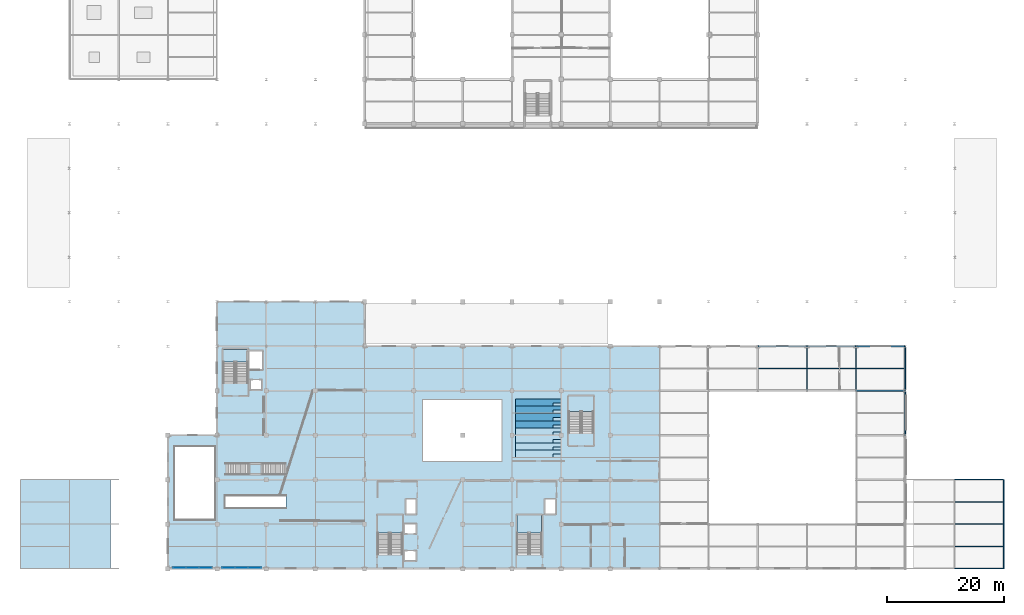
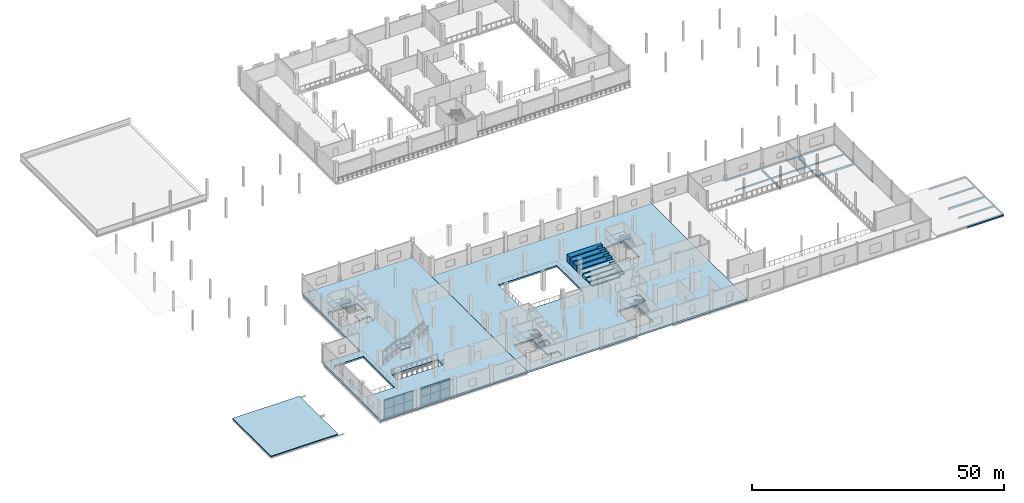
# One storey, part 20 of 51: 18 beams, 16 slabs, 12 plates, 7 elements without a shape of their own.
"""IFC4 building model written with IfcOpenShell, lengths in metres."""

from ifc_helpers import new_model, si_unit, direction, frame, origin, origin_2d, place, context, subcontext, project, spatial, polyline, rectangle, hollow_rectangle, i_section, outline, extrude, material, layer, layer_set, material_profile, profile_set, type_object, element, aggregate, save


model = new_model("IFC4")

# Units and contexts
model_context = context("Model", 3, precision=1e-05, world=origin(), true_north=direction((0.0, 1.0)))
body_context = subcontext(model_context, "Body", "Model", "MODEL_VIEW")
ifc_project = project(units=[si_unit("LENGTHUNIT", "METRE"), si_unit("AREAUNIT", "SQUARE_METRE"), si_unit("VOLUMEUNIT", "CUBIC_METRE"), si_unit("PLANEANGLEUNIT", "RADIAN"), si_unit("MASSUNIT", "GRAM", prefix="KILO")], contexts=[model_context])

# Site, building, storey
site_placement = place(None, origin())
site = spatial("IfcSite", under=ifc_project, at=site_placement, CompositionType="ELEMENT")
building_placement = place(site_placement, origin())
building = spatial("IfcBuilding", under=site, at=building_placement, Name="Zuvorla Pavilion Media Centre", CompositionType="ELEMENT")
storey_placement = place(building_placement, frame((0.0, 0.0, 4.800048828125)))
storey = spatial("IfcBuildingStorey", under=building, at=storey_placement, Name="L01", CompositionType="ELEMENT", Elevation=4.800048828125)

# Beams
ifc_material_1 = material(Name="Steel S355", Category="steel")
ifc_material_profile_1 = material_profile(ifc_material_1, hollow_rectangle(XDim=0.14990234375, YDim=0.25, WallThickness=0.010009765625, at=origin_2d()), Name="RHS 250x150x10")
ifc_profile_set_1 = profile_set([ifc_material_profile_1], Name="Steel S355")
beam_type_1 = type_object("IfcBeamType", Name="BM-SP-RHS250", PredefinedType="SPANDREL", material=ifc_profile_set_1)
beam_1_placement = place(storey_placement, frame((159.199951171875, 28.800048828125, -0.4130859375), z_axis=(0.0, 1.0, 0.0), x_axis=(-1.0, 0.0, 0.0)))
element("IfcBeam", 1, at=beam_1_placement, inside=storey, type_object=beam_type_1, Name="L01 spandrel SP02 695", PredefinedType="SPANDREL", context=body_context, shape_type="SweptSolid", body=[
    extrude(hollow_rectangle(XDim=0.14990234375, YDim=0.25, WallThickness=0.010009765625, at=origin_2d()), origin(), (0.0, 0.0, 1.0), 7.599853515625),
])
for number, where, z_axis, x_axis, name in (
    (2, (159.199951171875, 36.39990234375, -0.4130859375), (0.0, 1.0, 0.0), (-1.0, 0.0, 0.0), "L01 spandrel SP02 696"),
    (3, (176.0, 6.0, -0.4130859375), (0.0, 1.0, 0.0), (-1.0, 0.0, 0.0), "L01 spandrel SP02 699"),
):
    element("IfcBeam", number, at=place(storey_placement, frame(where, z_axis=z_axis, x_axis=x_axis)), inside=storey, type_object=beam_type_1, Name=name, PredefinedType="SPANDREL", context=body_context, shape_type="SweptSolid", body=[
        extrude(hollow_rectangle(XDim=0.14990234375, YDim=0.25, WallThickness=0.010009765625, at=origin_2d()), origin(), (0.0, 0.0, 1.0), 7.60009765625),
    ])
beam_2_placement = place(storey_placement, frame((176.0, 13.60009765625, -0.4130859375), z_axis=(0.0, 1.0, 0.0), x_axis=(-1.0, 0.0, 0.0)))
element("IfcBeam", 4, at=beam_2_placement, inside=storey, type_object=beam_type_1, Name="L01 spandrel SP02 700", PredefinedType="SPANDREL", context=body_context, shape_type="SweptSolid", body=[
    extrude(hollow_rectangle(XDim=0.14990234375, YDim=0.25, WallThickness=0.010009765625, at=origin_2d()), origin(), (0.0, 0.0, 1.0), 7.599853515625),
])
ifc_material_profile_2 = material_profile(ifc_material_1, hollow_rectangle(XDim=0.199951171875, YDim=0.300048828125, WallThickness=0.012451171875, at=origin_2d()), Name="RHS 300x200x12.5")
ifc_profile_set_2 = profile_set([ifc_material_profile_2], Name="Steel S355")
beam_type_2 = type_object("IfcBeamType", Name="BM-SP-RHS300", PredefinedType="SPANDREL", material=ifc_profile_set_2)
for number, where, z_axis, x_axis, name in (
    (5, (167.60009765625, 6.0, -0.43798828125), (1.0, 0.0, 0.0), (0.0, 1.0, 0.0), "L01 spandrel SP01 446"),
    (6, (167.60009765625, 21.199951171875, -0.43798828125), (1.0, 0.0, 0.0), (0.0, 1.0, 0.0), "L01 spandrel SP01 476"),
    (7, (134.0, 44.0, -0.43798828125), (1.0, 0.0, 0.0), (0.0, 1.0, 0.0), "L01 spandrel SP01 510"),
):
    element("IfcBeam", number, at=place(storey_placement, frame(where, z_axis=z_axis, x_axis=x_axis)), inside=storey, type_object=beam_type_2, Name=name, PredefinedType="SPANDREL", context=body_context, shape_type="SweptSolid", body=[
        extrude(hollow_rectangle(XDim=0.199951171875, YDim=0.300048828125, WallThickness=0.012451171875, at=origin_2d()), origin(), (0.0, 0.0, 1.0), 8.39990234375),
    ])
beam_3_placement = place(storey_placement, frame((142.39990234375, 44.0, -0.43798828125), z_axis=(1.0, 0.0, 0.0), x_axis=(0.0, 1.0, 0.0)))
element("IfcBeam", 8, at=beam_3_placement, inside=storey, type_object=beam_type_2, Name="L01 spandrel SP01 511", PredefinedType="SPANDREL", context=body_context, shape_type="SweptSolid", body=[
    extrude(hollow_rectangle(XDim=0.199951171875, YDim=0.300048828125, WallThickness=0.012451171875, at=origin_2d()), origin(), (0.0, 0.0, 1.0), 8.400146484375),
])
beam_4_placement = place(storey_placement, frame((150.800048828125, 44.0, -0.43798828125), z_axis=(1.0, 0.0, 0.0), x_axis=(0.0, 1.0, 0.0)))
element("IfcBeam", 9, at=beam_4_placement, inside=storey, type_object=beam_type_2, Name="L01 spandrel SP01 512", PredefinedType="SPANDREL", context=body_context, shape_type="SweptSolid", body=[
    extrude(hollow_rectangle(XDim=0.199951171875, YDim=0.300048828125, WallThickness=0.012451171875, at=origin_2d()), origin(), (0.0, 0.0, 1.0), 8.39990234375),
])
ifc_material_profile_3 = material_profile(ifc_material_1, i_section(OverallWidth=0.1787109375, OverallDepth=0.409423828125, WebThickness=0.0087890625, FlangeThickness=0.014404296875, FilletRadius=0.01025390625, at=origin_2d()), Name="UB 406x178x67")
ifc_profile_set_3 = profile_set([ifc_material_profile_3], Name="Steel S355")
beam_type_3 = type_object("IfcBeamType", Name="BM-UB406", PredefinedType="JOIST", material=ifc_profile_set_3)
for number, where, z_axis, x_axis, name in (
    (10, (134.10009765625, 40.199951171875, -0.49267578125), (1.0, 0.0, 0.0), (0.0, 1.0, 0.0), "L01 joist J02 778"),
    (11, (142.5, 40.199951171875, -0.49267578125), (1.0, 0.0, 0.0), (0.0, 1.0, 0.0), "L01 joist J02 780"),
):
    element("IfcBeam", number, at=place(storey_placement, frame(where, z_axis=z_axis, x_axis=x_axis)), inside=storey, type_object=beam_type_3, Name=name, PredefinedType="JOIST", context=body_context, shape_type="SweptSolid", body=[
        extrude(i_section(OverallWidth=0.1787109375, OverallDepth=0.409423828125, WebThickness=0.0087890625, FlangeThickness=0.014404296875, FilletRadius=0.01025390625, at=origin_2d()), origin(), (0.0, 0.0, 1.0), 8.199951171875),
    ])
beam_5_placement = place(storey_placement, frame((150.89990234375, 40.199951171875, -0.49267578125), z_axis=(1.0, 0.0, 0.0), x_axis=(0.0, 1.0, 0.0)))
element("IfcBeam", 12, at=beam_5_placement, inside=storey, type_object=beam_type_3, Name="L01 joist J02 785", PredefinedType="JOIST", context=body_context, shape_type="SweptSolid", body=[
    extrude(i_section(OverallWidth=0.1787109375, OverallDepth=0.409423828125, WebThickness=0.0087890625, FlangeThickness=0.014404296875, FilletRadius=0.01025390625, at=origin_2d()), origin(), (0.0, 0.0, 1.0), 8.22021484375),
])
for number, where, z_axis, x_axis, name in (
    (13, (167.699951171875, 9.800048828125, -0.49267578125), (1.0, 0.0, 0.0), (0.0, 1.0, 0.0), "L01 joist J02 788"),
    (14, (167.699951171875, 17.39990234375, -0.49267578125), (1.0, 0.0, 0.0), (0.0, 1.0, 0.0), "L01 joist J02 789"),
):
    element("IfcBeam", number, at=place(storey_placement, frame(where, z_axis=z_axis, x_axis=x_axis)), inside=storey, type_object=beam_type_3, Name=name, PredefinedType="JOIST", context=body_context, shape_type="SweptSolid", body=[
        extrude(i_section(OverallWidth=0.1787109375, OverallDepth=0.409423828125, WebThickness=0.0087890625, FlangeThickness=0.014404296875, FilletRadius=0.01025390625, at=origin_2d()), origin(), (0.0, 0.0, 1.0), 8.219970703125),
    ])
ifc_material_profile_4 = material_profile(ifc_material_1, i_section(OverallWidth=0.2099609375, OverallDepth=0.53662109375, WebThickness=0.0107421875, FlangeThickness=0.017333984375, FilletRadius=0.0126953125, at=origin_2d()), Name="UB 533x210x101")
ifc_profile_set_4 = profile_set([ifc_material_profile_4], Name="Steel S355")
beam_type_4 = type_object("IfcBeamType", Name="BM-UB533", PredefinedType="BEAM", material=ifc_profile_set_4)
for number, where, z_axis, x_axis, name in (
    (15, (167.60009765625, 13.60009765625, -0.556396484375), (1.0, 0.0, 0.0), (0.0, 1.0, 0.0), "L01 beam B08 462"),
    (16, (150.800048828125, 36.39990234375, -0.556396484375), (1.0, 0.0, 0.0), (0.0, 1.0, 0.0), "L01 beam B08 498"),
):
    element("IfcBeam", number, at=place(storey_placement, frame(where, z_axis=z_axis, x_axis=x_axis)), inside=storey, type_object=beam_type_4, Name=name, PredefinedType="BEAM", context=body_context, shape_type="SweptSolid", body=[
        extrude(i_section(OverallWidth=0.2099609375, OverallDepth=0.53662109375, WebThickness=0.0107421875, FlangeThickness=0.017333984375, FilletRadius=0.0126953125, at=origin_2d()), origin(), (0.0, 0.0, 1.0), 8.39990234375),
    ])
for number, where, z_axis, x_axis, name in (
    (17, (142.39990234375, 36.39990234375, -0.556396484375), (0.0, 1.0, 0.0), (-1.0, 0.0, 0.0), "L01 beam B08 686"),
    (18, (150.800048828125, 36.39990234375, -0.556396484375), (0.0, 1.0, 0.0), (-1.0, 0.0, 0.0), "L01 beam B08 691"),
):
    element("IfcBeam", number, at=place(storey_placement, frame(where, z_axis=z_axis, x_axis=x_axis)), inside=storey, type_object=beam_type_4, Name=name, PredefinedType="BEAM", context=body_context, shape_type="SweptSolid", body=[
        extrude(i_section(OverallWidth=0.2099609375, OverallDepth=0.53662109375, WebThickness=0.0107421875, FlangeThickness=0.017333984375, FilletRadius=0.0126953125, at=origin_2d()), origin(), (0.0, 0.0, 1.0), 7.60009765625),
    ])

# Curtain wall, plates
ifc_material_2 = material(Name="Unitised anodised aluminium and solar glass curtain wall", Category="aluminium")
curtain_wall_type = type_object("IfcCurtainWallType", Name="CW-SYS-86", PredefinedType="USERDEFINED", material=ifc_material_2)
curtain_wall_1_placement = place(storey_placement, origin())
curtain_wall_1 = element("IfcCurtainWall", 19, at=curtain_wall_1_placement, inside=storey, type_object=curtain_wall_type, Name="L01 curtain wall CW86 196", ObjectType="CURTAIN WALL", PredefinedType="USERDEFINED")
ifc_material_3 = material(Name="Acoustic laminated solar glazing", Category="glass")
ifc_layer_1 = layer(ifc_material_3, 0.033935546875)
ifc_layer_set_1 = layer_set([ifc_layer_1], Name="Acoustic laminated solar glazing")
plate_type = type_object("IfcPlateType", Name="CW-PNL-34", PredefinedType="CURTAIN_PANEL", material=ifc_layer_set_1)
plate_1_placement = place(storey_placement, frame((35.173828125, 6.159912109375, 0.030029296875), z_axis=(0.0, 0.0, 1.0), x_axis=(1.0, 0.0, 0.0)))
plate_1 = element("IfcPlate", 20, at=plate_1_placement, type_object=plate_type, Name="CW86 panel 1.1", PredefinedType="CURTAIN_PANEL", context=body_context, shape_type="SweptSolid", body=[
    extrude(rectangle(XDim=2.166015625, YDim=0.033935546875, at=origin_2d()), origin(), (0.0, 0.0, 1.0), 2.1650390625),
])
plate_2_placement = place(storey_placement, frame((35.173828125, 6.159912109375, 2.2548828125), z_axis=(0.0, 0.0, 1.0), x_axis=(1.0, 0.0, 0.0)))
plate_2 = element("IfcPlate", 21, at=plate_2_placement, type_object=plate_type, Name="CW86 panel 1.2", PredefinedType="CURTAIN_PANEL", context=body_context, shape_type="SweptSolid", body=[
    extrude(rectangle(XDim=2.166015625, YDim=0.033935546875, at=origin_2d()), origin(), (0.0, 0.0, 1.0), 2.1650390625),
])
plate_3_placement = place(storey_placement, frame((37.39990234375, 6.159912109375, 0.030029296875), z_axis=(0.0, 0.0, 1.0), x_axis=(1.0, 0.0, 0.0)))
plate_3 = element("IfcPlate", 22, at=plate_3_placement, type_object=plate_type, Name="CW86 panel 2.1", PredefinedType="CURTAIN_PANEL", context=body_context, shape_type="SweptSolid", body=[
    extrude(rectangle(XDim=2.166015625, YDim=0.033935546875, at=origin_2d()), origin(), (0.0, 0.0, 1.0), 2.1650390625),
])
plate_4_placement = place(storey_placement, frame((37.39990234375, 6.159912109375, 2.2548828125), z_axis=(0.0, 0.0, 1.0), x_axis=(1.0, 0.0, 0.0)))
plate_4 = element("IfcPlate", 23, at=plate_4_placement, type_object=plate_type, Name="CW86 panel 2.2", PredefinedType="CURTAIN_PANEL", context=body_context, shape_type="SweptSolid", body=[
    extrude(rectangle(XDim=2.166015625, YDim=0.033935546875, at=origin_2d()), origin(), (0.0, 0.0, 1.0), 2.1650390625),
])
plate_5_placement = place(storey_placement, frame((39.626220703125, 6.159912109375, 0.030029296875), z_axis=(0.0, 0.0, 1.0), x_axis=(1.0, 0.0, 0.0)))
plate_5 = element("IfcPlate", 24, at=plate_5_placement, type_object=plate_type, Name="CW86 panel 3.1", PredefinedType="CURTAIN_PANEL", context=body_context, shape_type="SweptSolid", body=[
    extrude(rectangle(XDim=2.166015625, YDim=0.033935546875, at=origin_2d()), origin(), (0.0, 0.0, 1.0), 2.1650390625),
])
plate_6_placement = place(storey_placement, frame((39.626220703125, 6.159912109375, 2.2548828125), z_axis=(0.0, 0.0, 1.0), x_axis=(1.0, 0.0, 0.0)))
plate_6 = element("IfcPlate", 25, at=plate_6_placement, type_object=plate_type, Name="CW86 panel 3.2", PredefinedType="CURTAIN_PANEL", context=body_context, shape_type="SweptSolid", body=[
    extrude(rectangle(XDim=2.166015625, YDim=0.033935546875, at=origin_2d()), origin(), (0.0, 0.0, 1.0), 2.1650390625),
])
aggregate(curtain_wall_1, [plate_1, plate_2, plate_3, plate_4, plate_5, plate_6])

curtain_wall_2_placement = place(storey_placement, origin())
curtain_wall_2 = element("IfcCurtainWall", 26, at=curtain_wall_2_placement, inside=storey, type_object=curtain_wall_type, Name="L01 curtain wall CW86 197", ObjectType="CURTAIN WALL", PredefinedType="USERDEFINED")
plate_7_placement = place(storey_placement, frame((43.573974609375, 6.159912109375, 0.030029296875), z_axis=(0.0, 0.0, 1.0), x_axis=(1.0, 0.0, 0.0)))
plate_7 = element("IfcPlate", 27, at=plate_7_placement, type_object=plate_type, Name="CW86 panel 1.1", PredefinedType="CURTAIN_PANEL", context=body_context, shape_type="SweptSolid", body=[
    extrude(rectangle(XDim=2.166015625, YDim=0.033935546875, at=origin_2d()), origin(), (0.0, 0.0, 1.0), 2.1650390625),
])
plate_8_placement = place(storey_placement, frame((43.573974609375, 6.159912109375, 2.2548828125), z_axis=(0.0, 0.0, 1.0), x_axis=(1.0, 0.0, 0.0)))
plate_8 = element("IfcPlate", 28, at=plate_8_placement, type_object=plate_type, Name="CW86 panel 1.2", PredefinedType="CURTAIN_PANEL", context=body_context, shape_type="SweptSolid", body=[
    extrude(rectangle(XDim=2.166015625, YDim=0.033935546875, at=origin_2d()), origin(), (0.0, 0.0, 1.0), 2.1650390625),
])
plate_9_placement = place(storey_placement, frame((45.800048828125, 6.159912109375, 0.030029296875), z_axis=(0.0, 0.0, 1.0), x_axis=(1.0, 0.0, 0.0)))
plate_9 = element("IfcPlate", 29, at=plate_9_placement, type_object=plate_type, Name="CW86 panel 2.1", PredefinedType="CURTAIN_PANEL", context=body_context, shape_type="SweptSolid", body=[
    extrude(rectangle(XDim=2.166015625, YDim=0.033935546875, at=origin_2d()), origin(), (0.0, 0.0, 1.0), 2.1650390625),
])
plate_10_placement = place(storey_placement, frame((45.800048828125, 6.159912109375, 2.2548828125), z_axis=(0.0, 0.0, 1.0), x_axis=(1.0, 0.0, 0.0)))
plate_10 = element("IfcPlate", 30, at=plate_10_placement, type_object=plate_type, Name="CW86 panel 2.2", PredefinedType="CURTAIN_PANEL", context=body_context, shape_type="SweptSolid", body=[
    extrude(rectangle(XDim=2.166015625, YDim=0.033935546875, at=origin_2d()), origin(), (0.0, 0.0, 1.0), 2.1650390625),
])
plate_11_placement = place(storey_placement, frame((48.026123046875, 6.159912109375, 0.030029296875), z_axis=(0.0, 0.0, 1.0), x_axis=(1.0, 0.0, 0.0)))
plate_11 = element("IfcPlate", 31, at=plate_11_placement, type_object=plate_type, Name="CW86 panel 3.1", PredefinedType="CURTAIN_PANEL", context=body_context, shape_type="SweptSolid", body=[
    extrude(rectangle(XDim=2.166015625, YDim=0.033935546875, at=origin_2d()), origin(), (0.0, 0.0, 1.0), 2.1650390625),
])
plate_12_placement = place(storey_placement, frame((48.026123046875, 6.159912109375, 2.2548828125), z_axis=(0.0, 0.0, 1.0), x_axis=(1.0, 0.0, 0.0)))
plate_12 = element("IfcPlate", 32, at=plate_12_placement, type_object=plate_type, Name="CW86 panel 3.2", PredefinedType="CURTAIN_PANEL", context=body_context, shape_type="SweptSolid", body=[
    extrude(rectangle(XDim=2.166015625, YDim=0.033935546875, at=origin_2d()), origin(), (0.0, 0.0, 1.0), 2.1650390625),
])
aggregate(curtain_wall_2, [plate_7, plate_8, plate_9, plate_10, plate_11, plate_12])

# Slabs
ifc_material_4 = material(Name="Concrete C40/50", Category="concrete")
ifc_layer_2 = layer(ifc_material_4, 0.419921875)
ifc_layer_set_2 = layer_set([ifc_layer_2], Name="Concrete C40/50")
slab_type_1 = type_object("IfcSlabType", Name="SLB-FLR-400", PredefinedType="FLOOR", material=ifc_layer_set_2)
slab_1_placement = place(storey_placement, frame((0.0, 0.0, -0.420166015625)))
element("IfcSlab", 33, at=slab_1_placement, inside=storey, type_object=slab_type_1, Name="L01 floor slab CB", PredefinedType="FLOOR", context=body_context, shape_type="SweptSolid", body=[
    extrude(outline(polyline([(66.800048828125, 6.0), (66.800048828125, 44.0), (117.199951171875, 44.0), (117.199951171875, 6.0), (66.800048828125, 6.0)]), holes=[polyline([(73.669921875, 9.030029296875), (73.669921875, 7.3701171875), (75.6298828125, 7.3701171875), (75.6298828125, 9.030029296875), (73.669921875, 9.030029296875)]), polyline([(69.050048828125, 15.14990234375), (69.050048828125, 8.449951171875), (73.25, 8.449951171875), (73.25, 15.14990234375), (69.050048828125, 15.14990234375)]), polyline([(92.85009765625, 15.14990234375), (92.85009765625, 8.449951171875), (97.050048828125, 8.449951171875), (97.050048828125, 15.14990234375), (92.85009765625, 15.14990234375)]), polyline([(73.669921875, 13.6298828125), (73.669921875, 11.969970703125), (75.6298828125, 11.969970703125), (75.6298828125, 13.6298828125), (73.669921875, 13.6298828125)]), polyline([(73.8701171875, 17.8798828125), (73.8701171875, 15.320068359375), (75.6298828125, 15.320068359375), (75.6298828125, 17.8798828125), (73.8701171875, 17.8798828125)]), polyline([(97.669921875, 17.8798828125), (97.669921875, 15.320068359375), (99.429931640625, 15.320068359375), (99.429931640625, 17.8798828125), (97.669921875, 17.8798828125)]), polyline([(76.800048828125, 34.800048828125), (76.800048828125, 24.39990234375), (90.199951171875, 24.39990234375), (90.199951171875, 34.800048828125), (76.800048828125, 34.800048828125)]), polyline([(101.699951171875, 35.449951171875), (101.699951171875, 29.199951171875), (105.89990234375, 29.199951171875), (105.89990234375, 35.449951171875), (101.699951171875, 35.449951171875)])]), origin(), (0.0, 0.0, 1.0), 0.420166015625),
])
slab_2_placement = place(storey_placement, frame((0.0, 0.0, -0.420166015625)))
element("IfcSlab", 34, at=slab_2_placement, inside=storey, type_object=slab_type_1, Name="L01 floor slab SW", PredefinedType="FLOOR", context=body_context, shape_type="SweptSolid", body=[
    extrude(outline(polyline([(33.199951171875, 6.0), (33.199951171875, 28.800048828125), (41.60009765625, 28.800048828125), (41.60009765625, 51.60009765625), (66.800048828125, 51.60009765625), (66.800048828125, 28.800048828125), (66.800048828125, 6.0), (33.199951171875, 6.0)]), holes=[polyline([(42.949951171875, 16.35009765625), (53.419921875, 16.35009765625), (53.419921875, 18.449951171875), (42.949951171875, 18.449951171875), (42.949951171875, 16.35009765625)]), polyline([(34.39990234375, 14.39990234375), (41.199951171875, 14.39990234375), (41.199951171875, 26.800048828125), (34.39990234375, 26.800048828125), (34.39990234375, 14.39990234375)]), polyline([(47.27001953125, 36.570068359375), (49.22998046875, 36.570068359375), (49.22998046875, 38.22998046875), (47.27001953125, 38.22998046875), (47.27001953125, 36.570068359375)]), polyline([(42.64990234375, 37.699951171875), (46.85009765625, 37.699951171875), (46.85009765625, 40.02001953125), (49.3798828125, 40.02001953125), (49.3798828125, 43.179931640625), (46.85009765625, 43.179931640625), (46.85009765625, 43.449951171875), (42.64990234375, 43.449951171875), (42.64990234375, 37.699951171875)])]), origin(), (0.0, 0.0, 1.0), 0.420166015625),
])

# Stair, slab
stair_type_1 = type_object("IfcStairType", Name="STR-DOG-480", PredefinedType="TWO_STRAIGHT_RUN_STAIR", material=ifc_material_4)
stair_1_placement = place(storey_placement, origin())
stair_1 = element("IfcStair", 35, at=stair_1_placement, inside=storey, type_object=stair_type_1, Name="L01 exit stair ST-01", PredefinedType="TWO_STRAIGHT_RUN_STAIR")
ifc_layer_3 = layer(ifc_material_4, 0.199951171875)
ifc_layer_set_3 = layer_set([ifc_layer_3], Name="Concrete C40/50")
slab_type_2 = type_object("IfcSlabType", Name="SLB-LND-200", PredefinedType="LANDING", material=ifc_layer_set_3)
slab_3_placement = place(storey_placement, frame((0.0, 0.0, 2.199951171875)))
slab_3 = element("IfcSlab", 36, at=slab_3_placement, type_object=slab_type_2, Name="ST-01 landing 1", PredefinedType="LANDING", context=body_context, shape_type="SweptSolid", body=[
    extrude(outline(polyline([(69.030029296875, 12.070068359375), (73.27001953125, 12.070068359375), (73.27001953125, 15.169921875), (69.030029296875, 15.169921875), (69.030029296875, 12.070068359375)])), origin(), (0.0, 0.0, 1.0), 0.199951171875),
])
aggregate(stair_1, [slab_3])

stair_2_placement = place(storey_placement, origin())
stair_2 = element("IfcStair", 37, at=stair_2_placement, inside=storey, type_object=stair_type_1, Name="L01 exit stair ST-02", PredefinedType="TWO_STRAIGHT_RUN_STAIR")
slab_4_placement = place(storey_placement, frame((0.0, 0.0, 2.199951171875)))
slab_4 = element("IfcSlab", 38, at=slab_4_placement, type_object=slab_type_2, Name="ST-02 landing 1", PredefinedType="LANDING", context=body_context, shape_type="SweptSolid", body=[
    extrude(outline(polyline([(92.830078125, 12.070068359375), (97.070068359375, 12.070068359375), (97.070068359375, 15.169921875), (92.830078125, 15.169921875), (92.830078125, 12.070068359375)])), origin(), (0.0, 0.0, 1.0), 0.199951171875),
])
aggregate(stair_2, [slab_4])

stair_3_placement = place(storey_placement, origin())
stair_3 = element("IfcStair", 39, at=stair_3_placement, inside=storey, type_object=stair_type_1, Name="L01 exit stair ST-03", PredefinedType="TWO_STRAIGHT_RUN_STAIR")
slab_5_placement = place(storey_placement, frame((0.0, 0.0, 2.199951171875)))
slab_5 = element("IfcSlab", 40, at=slab_5_placement, type_object=slab_type_2, Name="ST-03 landing 1", PredefinedType="LANDING", context=body_context, shape_type="SweptSolid", body=[
    extrude(outline(polyline([(42.6298828125, 41.320068359375), (46.8701171875, 41.320068359375), (46.8701171875, 43.469970703125), (42.6298828125, 43.469970703125), (42.6298828125, 41.320068359375)])), origin(), (0.0, 0.0, 1.0), 0.199951171875),
])
aggregate(stair_3, [slab_5])

stair_4_placement = place(storey_placement, origin())
stair_4 = element("IfcStair", 41, at=stair_4_placement, inside=storey, type_object=stair_type_1, Name="L01 exit stair ST-04", PredefinedType="TWO_STRAIGHT_RUN_STAIR")
slab_6_placement = place(storey_placement, frame((0.0, 0.0, 2.199951171875)))
slab_6 = element("IfcSlab", 42, at=slab_6_placement, type_object=slab_type_2, Name="ST-04 landing 1", PredefinedType="LANDING", context=body_context, shape_type="SweptSolid", body=[
    extrude(outline(polyline([(101.679931640625, 32.820068359375), (105.919921875, 32.820068359375), (105.919921875, 35.469970703125), (101.679931640625, 35.469970703125), (101.679931640625, 32.820068359375)])), origin(), (0.0, 0.0, 1.0), 0.199951171875),
])
aggregate(stair_4, [slab_6])

ifc_material_5 = material(Name="Precast concrete C40/50", Category="concrete")
stair_type_2 = type_object("IfcStairType", Name="STR-FEA-08", PredefinedType="STRAIGHT_RUN_STAIR", material=ifc_material_5)
stair_5_placement = place(storey_placement, origin())
stair_5 = element("IfcStair", 43, at=stair_5_placement, inside=storey, type_object=stair_type_2, Name="L01 feature stair ST-08", PredefinedType="STRAIGHT_RUN_STAIR")
slab_7_placement = place(storey_placement, frame((0.0, 0.0, 2.199951171875)))
slab_7 = element("IfcSlab", 44, at=slab_7_placement, type_object=slab_type_2, Name="ST-08 landing 1", PredefinedType="LANDING", context=body_context, shape_type="SweptSolid", body=[
    extrude(outline(polyline([(47.0400390625, 22.0), (49.280029296875, 22.0), (49.280029296875, 24.0), (47.0400390625, 24.0), (47.0400390625, 22.0)])), origin(), (0.0, 0.0, 1.0), 0.199951171875),
])
aggregate(stair_5, [slab_7])

# Slabs
ifc_material_6 = material(Name="Concrete C32/40", Category="concrete")
ifc_layer_4 = layer(ifc_material_6, 0.239990234375)
ifc_layer_set_4 = layer_set([ifc_layer_4], Name="Concrete C32/40")
slab_type_3 = type_object("IfcSlabType", Name="SLB-ROOF-240", PredefinedType="ROOF", material=ifc_layer_set_4)
slab_8_placement = place(storey_placement, frame((0.0, 0.0, -0.239990234375)))
element("IfcSlab", 45, at=slab_8_placement, inside=storey, type_object=slab_type_3, Name="L01 roof slab SLB-ROOF-COLW-L01", PredefinedType="ROOF", context=body_context, shape_type="SweptSolid", body=[
    extrude(outline(polyline([(23.39990234375, 6.0), (23.39990234375, 21.199951171875), (8.0, 21.199951171875), (8.0, 6.0), (23.39990234375, 6.0)])), origin(), (0.0, 0.0, 1.0), 0.239990234375),
])
ifc_layer_5 = layer(ifc_material_5, 0.14990234375)
ifc_layer_set_5 = layer_set([ifc_layer_5], Name="Precast concrete C40/50")
slab_type_4 = type_object("IfcSlabType", Name="SLB-TIER-150", PredefinedType="USERDEFINED", material=ifc_layer_set_5)
slab_9_placement = place(storey_placement, origin())
element("IfcSlab", 46, at=slab_9_placement, inside=storey, type_object=slab_type_4, Name="L01 SCR3 seating tier 1", ObjectType="SEATING TIER", PredefinedType="USERDEFINED", context=body_context, shape_type="SweptSolid", body=[
    extrude(outline(polyline([(92.60009765625, 25.0), (99.0, 25.0), (99.0, 25.5625), (100.39990234375, 25.5625), (100.39990234375, 26.25), (92.60009765625, 26.25), (92.60009765625, 25.0)])), origin(), (0.0, 0.0, 1.0), 0.219970703125),
])
slab_10_placement = place(storey_placement, origin())
element("IfcSlab", 47, at=slab_10_placement, inside=storey, type_object=slab_type_4, Name="L01 SCR3 seating tier 2", ObjectType="SEATING TIER", PredefinedType="USERDEFINED", context=body_context, shape_type="SweptSolid", body=[
    extrude(outline(polyline([(92.60009765625, 26.25), (99.0, 26.25), (99.0, 26.8125), (100.39990234375, 26.8125), (100.39990234375, 27.5), (92.60009765625, 27.5), (92.60009765625, 26.25)])), origin(), (0.0, 0.0, 1.0), 0.43994140625),
])
slab_11_placement = place(storey_placement, origin())
element("IfcSlab", 48, at=slab_11_placement, inside=storey, type_object=slab_type_4, Name="L01 SCR3 seating tier 3", ObjectType="SEATING TIER", PredefinedType="USERDEFINED", context=body_context, shape_type="SweptSolid", body=[
    extrude(outline(polyline([(92.60009765625, 27.5), (99.0, 27.5), (99.0, 28.0625), (100.39990234375, 28.0625), (100.39990234375, 28.75), (92.60009765625, 28.75), (92.60009765625, 27.5)])), origin(), (0.0, 0.0, 1.0), 0.659912109375),
])
slab_12_placement = place(storey_placement, origin())
element("IfcSlab", 49, at=slab_12_placement, inside=storey, type_object=slab_type_4, Name="L01 SCR3 seating tier 4", ObjectType="SEATING TIER", PredefinedType="USERDEFINED", context=body_context, shape_type="SweptSolid", body=[
    extrude(outline(polyline([(92.60009765625, 28.75), (99.0, 28.75), (99.0, 29.3125), (100.39990234375, 29.3125), (100.39990234375, 30.0), (92.60009765625, 30.0), (92.60009765625, 28.75)])), origin(), (0.0, 0.0, 1.0), 0.8798828125),
])
slab_13_placement = place(storey_placement, origin())
element("IfcSlab", 50, at=slab_13_placement, inside=storey, type_object=slab_type_4, Name="L01 SCR3 seating tier 5", ObjectType="SEATING TIER", PredefinedType="USERDEFINED", context=body_context, shape_type="SweptSolid", body=[
    extrude(outline(polyline([(92.60009765625, 30.0), (99.0, 30.0), (99.0, 30.5625), (100.39990234375, 30.5625), (100.39990234375, 31.25), (92.60009765625, 31.25), (92.60009765625, 30.0)])), origin(), (0.0, 0.0, 1.0), 1.099853515625),
])
slab_14_placement = place(storey_placement, origin())
element("IfcSlab", 51, at=slab_14_placement, inside=storey, type_object=slab_type_4, Name="L01 SCR3 seating tier 6", ObjectType="SEATING TIER", PredefinedType="USERDEFINED", context=body_context, shape_type="SweptSolid", body=[
    extrude(outline(polyline([(92.60009765625, 31.25), (99.0, 31.25), (99.0, 31.8125), (100.39990234375, 31.8125), (100.39990234375, 32.5), (92.60009765625, 32.5), (92.60009765625, 31.25)])), origin(), (0.0, 0.0, 1.0), 1.320068359375),
])
slab_15_placement = place(storey_placement, origin())
element("IfcSlab", 52, at=slab_15_placement, inside=storey, type_object=slab_type_4, Name="L01 SCR3 seating tier 7", ObjectType="SEATING TIER", PredefinedType="USERDEFINED", context=body_context, shape_type="SweptSolid", body=[
    extrude(outline(polyline([(92.60009765625, 32.5), (99.0, 32.5), (99.0, 33.0625), (100.39990234375, 33.0625), (100.39990234375, 33.75), (92.60009765625, 33.75), (92.60009765625, 32.5)])), origin(), (0.0, 0.0, 1.0), 1.5400390625),
])
slab_16_placement = place(storey_placement, origin())
element("IfcSlab", 53, at=slab_16_placement, inside=storey, type_object=slab_type_4, Name="L01 SCR3 seating tier 8", ObjectType="SEATING TIER", PredefinedType="USERDEFINED", context=body_context, shape_type="SweptSolid", body=[
    extrude(outline(polyline([(92.60009765625, 33.75), (99.0, 33.75), (99.0, 34.3125), (100.39990234375, 34.3125), (100.39990234375, 35.0), (92.60009765625, 35.0), (92.60009765625, 33.75)])), origin(), (0.0, 0.0, 1.0), 1.760009765625),
])

save(model, "model.ifc")
